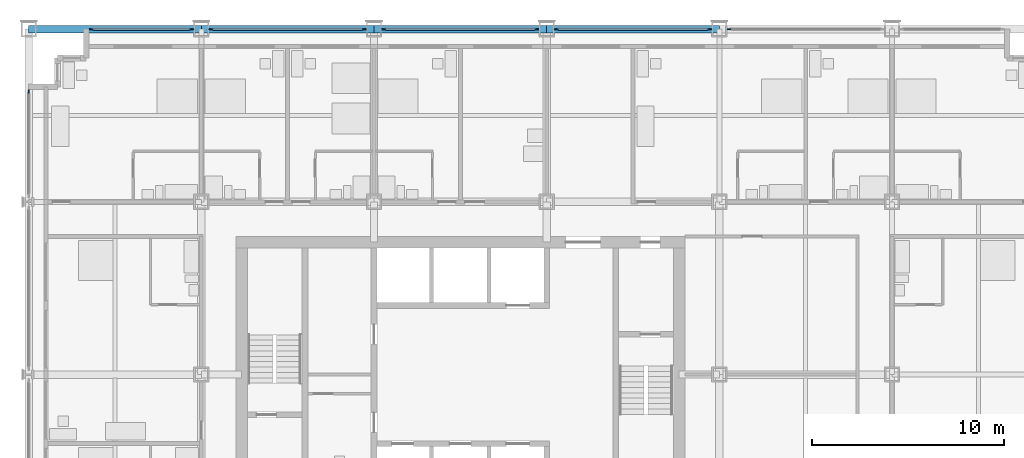
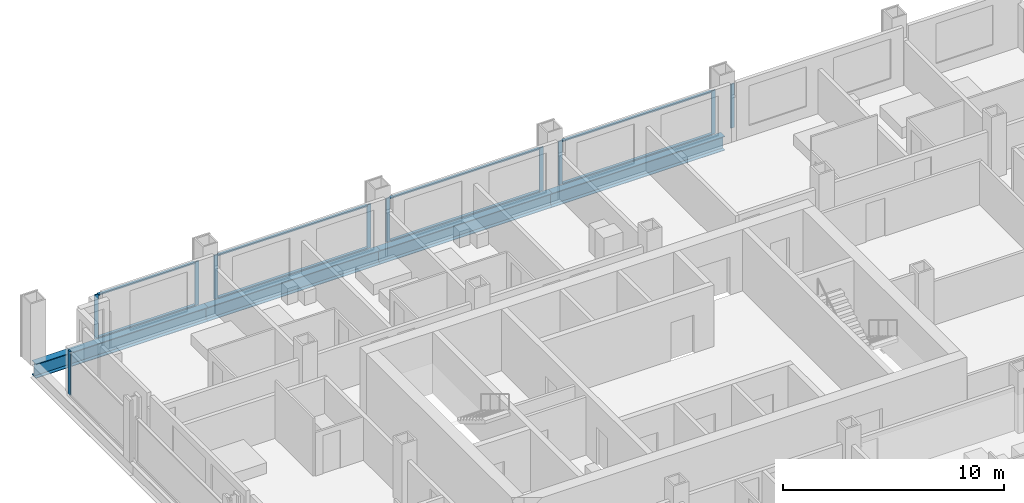
# One storey, part 7 of 18: 18 members, 4 beams, 6 elements without a shape of their own.
"""IFC4 building model written with IfcOpenShell, lengths in metres."""

from ifc_helpers import new_model, si_unit, direction, frame, origin, origin_2d, place, context, subcontext, project, spatial, rectangle, i_section, extrude, material, material_profile, profile_set, type_object, element, aggregate, save


model = new_model("IFC4")

# Units and contexts
model_context = context("Model", 3, precision=1e-05, world=origin(), true_north=direction((0.0, 1.0)))
body_context = subcontext(model_context, "Body", "Model", "MODEL_VIEW")
ifc_project = project(units=[si_unit("LENGTHUNIT", "METRE"), si_unit("AREAUNIT", "SQUARE_METRE"), si_unit("VOLUMEUNIT", "CUBIC_METRE"), si_unit("PLANEANGLEUNIT", "RADIAN"), si_unit("MASSUNIT", "GRAM", prefix="KILO")], contexts=[model_context])

# Site, building, storey
site_placement = place(None, origin())
site = spatial("IfcSite", under=ifc_project, at=site_placement, CompositionType="ELEMENT")
building_placement = place(site_placement, origin())
building = spatial("IfcBuilding", under=site, at=building_placement, Name="Loomwork Tower", CompositionType="ELEMENT")
storey_placement = place(building_placement, frame((0.0, 0.0, 68.800048828125)))
storey = spatial("IfcBuildingStorey", under=building, at=storey_placement, Name="L17", CompositionType="ELEMENT", Elevation=68.800048828125)

# Curtain wall, members
ifc_material_1 = material(Name="Aluminium curtain wall frame", Category="aluminium")
curtain_wall_type = type_object("IfcCurtainWallType", Name="Outer skin glazing hotel", PredefinedType="NOTDEFINED", material=ifc_material_1)
curtain_wall_1_placement = place(storey_placement, origin())
curtain_wall_1 = element("IfcCurtainWall", 1, at=curtain_wall_1_placement, inside=storey, type_object=curtain_wall_type, Name="Outer skin glazing hotel cw/N-0", PredefinedType="NOTDEFINED")
ifc_material_2 = material(Name="Aluminium curtain wall frame", Category="aluminium")
ifc_material_profile_1 = material_profile(ifc_material_2, rectangle(XDim=0.06494140625, YDim=0.199951171875, at=origin_2d()), Name="AL 65x200")
ifc_profile_set_1 = profile_set([ifc_material_profile_1], Name="Aluminium curtain wall frame")
member_type_1 = type_object("IfcMemberType", Name="Outer skin glazing hotel mullion", PredefinedType="MULLION", material=ifc_profile_set_1)
member_1_placement = place(storey_placement, frame((8.5, 36.0, 0.0), z_axis=(0.0, 0.0, 1.0), x_axis=(0.0, -1.0, 0.0)))
member_1 = element("IfcMember", 2, at=member_1_placement, type_object=member_type_1, Name="CW1 mullion 1", PredefinedType="MULLION", context=body_context, shape_type="SweptSolid", body=[
    extrude(rectangle(XDim=0.06494140625, YDim=0.199951171875, at=origin_2d()), origin(), (0.0, 0.0, 1.0), 2.420166015625),
])
member_2_placement = place(storey_placement, frame((3.25, 36.0, 0.0), z_axis=(0.0, 0.0, 1.0), x_axis=(0.0, -1.0, 0.0)))
member_2 = element("IfcMember", 3, at=member_2_placement, type_object=member_type_1, Name="CW1 mullion 2", PredefinedType="MULLION", context=body_context, shape_type="SweptSolid", body=[
    extrude(rectangle(XDim=0.06494140625, YDim=0.199951171875, at=origin_2d()), origin(), (0.0, 0.0, 1.0), 2.420166015625),
])

curtain_wall_2_placement = place(storey_placement, origin())
curtain_wall_2 = element("IfcCurtainWall", 4, at=curtain_wall_2_placement, inside=storey, type_object=curtain_wall_type, Name="Outer skin glazing hotel cw/N-9", PredefinedType="NOTDEFINED")
member_3_placement = place(storey_placement, frame((17.5, 36.0, 0.0), z_axis=(0.0, 0.0, 1.0), x_axis=(0.0, -1.0, 0.0)))
member_3 = element("IfcMember", 5, at=member_3_placement, type_object=member_type_1, Name="CW1 mullion 1", PredefinedType="MULLION", context=body_context, shape_type="SweptSolid", body=[
    extrude(rectangle(XDim=0.06494140625, YDim=0.199951171875, at=origin_2d()), origin(), (0.0, 0.0, 1.0), 2.420166015625),
])
member_4_placement = place(storey_placement, frame((9.5, 36.0, 0.0), z_axis=(0.0, 0.0, 1.0), x_axis=(0.0, -1.0, 0.0)))
member_4 = element("IfcMember", 6, at=member_4_placement, type_object=member_type_1, Name="CW1 mullion 2", PredefinedType="MULLION", context=body_context, shape_type="SweptSolid", body=[
    extrude(rectangle(XDim=0.06494140625, YDim=0.199951171875, at=origin_2d()), origin(), (0.0, 0.0, 1.0), 2.420166015625),
])

curtain_wall_3_placement = place(storey_placement, origin())
curtain_wall_3 = element("IfcCurtainWall", 7, at=curtain_wall_3_placement, inside=storey, type_object=curtain_wall_type, Name="Outer skin glazing hotel cw/N-18", PredefinedType="NOTDEFINED")
member_5_placement = place(storey_placement, frame((26.5, 36.0, 0.0), z_axis=(0.0, 0.0, 1.0), x_axis=(0.0, -1.0, 0.0)))
member_5 = element("IfcMember", 8, at=member_5_placement, type_object=member_type_1, Name="CW1 mullion 1", PredefinedType="MULLION", context=body_context, shape_type="SweptSolid", body=[
    extrude(rectangle(XDim=0.06494140625, YDim=0.199951171875, at=origin_2d()), origin(), (0.0, 0.0, 1.0), 2.420166015625),
])
member_6_placement = place(storey_placement, frame((18.5, 36.0, 0.0), z_axis=(0.0, 0.0, 1.0), x_axis=(0.0, -1.0, 0.0)))
member_6 = element("IfcMember", 9, at=member_6_placement, type_object=member_type_1, Name="CW1 mullion 2", PredefinedType="MULLION", context=body_context, shape_type="SweptSolid", body=[
    extrude(rectangle(XDim=0.06494140625, YDim=0.199951171875, at=origin_2d()), origin(), (0.0, 0.0, 1.0), 2.420166015625),
])

curtain_wall_4_placement = place(storey_placement, origin())
curtain_wall_4 = element("IfcCurtainWall", 10, at=curtain_wall_4_placement, inside=storey, type_object=curtain_wall_type, Name="Outer skin glazing hotel cw/N-27", PredefinedType="NOTDEFINED")
member_7_placement = place(storey_placement, frame((35.5, 36.0, 0.0), z_axis=(0.0, 0.0, 1.0), x_axis=(0.0, -1.0, 0.0)))
member_7 = element("IfcMember", 11, at=member_7_placement, type_object=member_type_1, Name="CW1 mullion 1", PredefinedType="MULLION", context=body_context, shape_type="SweptSolid", body=[
    extrude(rectangle(XDim=0.06494140625, YDim=0.199951171875, at=origin_2d()), origin(), (0.0, 0.0, 1.0), 2.420166015625),
])
member_8_placement = place(storey_placement, frame((27.5, 36.0, 0.0), z_axis=(0.0, 0.0, 1.0), x_axis=(0.0, -1.0, 0.0)))
member_8 = element("IfcMember", 12, at=member_8_placement, type_object=member_type_1, Name="CW1 mullion 2", PredefinedType="MULLION", context=body_context, shape_type="SweptSolid", body=[
    extrude(rectangle(XDim=0.06494140625, YDim=0.199951171875, at=origin_2d()), origin(), (0.0, 0.0, 1.0), 2.420166015625),
])

# Curtain wall, member
curtain_wall_5_placement = place(storey_placement, origin())
curtain_wall_5 = element("IfcCurtainWall", 13, at=curtain_wall_5_placement, inside=storey, type_object=curtain_wall_type, Name="Outer skin glazing hotel cw/N-36", PredefinedType="NOTDEFINED")
member_9_placement = place(storey_placement, frame((36.5, 36.0, 0.0), z_axis=(0.0, 0.0, 1.0), x_axis=(0.0, -1.0, 0.0)))
member_9 = element("IfcMember", 14, at=member_9_placement, type_object=member_type_1, Name="CW1 mullion 2", PredefinedType="MULLION", context=body_context, shape_type="SweptSolid", body=[
    extrude(rectangle(XDim=0.06494140625, YDim=0.199951171875, at=origin_2d()), origin(), (0.0, 0.0, 1.0), 2.420166015625),
])
aggregate(curtain_wall_5, [member_9])

curtain_wall_6_placement = place(storey_placement, origin())
curtain_wall_6 = element("IfcCurtainWall", 15, at=curtain_wall_6_placement, inside=storey, type_object=curtain_wall_type, Name="Outer skin glazing hotel cw/W-27", PredefinedType="NOTDEFINED")
member_10_placement = place(storey_placement, frame((0.0, 32.75, 0.0), z_axis=(0.0, 0.0, 1.0), x_axis=(1.0, 0.0, 0.0)))
member_10 = element("IfcMember", 16, at=member_10_placement, type_object=member_type_1, Name="CW1 mullion 1", PredefinedType="MULLION", context=body_context, shape_type="SweptSolid", body=[
    extrude(rectangle(XDim=0.06494140625, YDim=0.199951171875, at=origin_2d()), origin(), (0.0, 0.0, 1.0), 2.420166015625),
])
aggregate(curtain_wall_6, [member_10])

# Member
ifc_material_3 = material(Name="Aluminium curtain wall frame", Category="aluminium")
ifc_material_profile_2 = material_profile(ifc_material_3, rectangle(XDim=0.14990234375, YDim=0.06494140625, at=origin_2d()), Name="AL 65x150")
ifc_profile_set_2 = profile_set([ifc_material_profile_2], Name="Aluminium curtain wall frame")
member_type_2 = type_object("IfcMemberType", Name="Outer skin glazing hotel transom", PredefinedType="USERDEFINED", material=ifc_profile_set_2)
member_11_placement = place(storey_placement, frame((8.39990234375, 36.0, 0.032470703125), z_axis=(-1.0, 0.0, 0.0), x_axis=(0.0, -1.0, 0.0)))
member_11 = element("IfcMember", 17, at=member_11_placement, type_object=member_type_2, Name="CW1 transom 1.1", ObjectType="TRANSOM", PredefinedType="USERDEFINED", context=body_context, shape_type="SweptSolid", body=[
    extrude(rectangle(XDim=0.14990234375, YDim=0.06494140625, at=origin_2d()), origin(), (0.0, 0.0, 1.0), 5.0498046875),
])

member_12_placement = place(storey_placement, frame((8.39990234375, 36.0, 2.3876953125), z_axis=(-1.0, 0.0, 0.0), x_axis=(0.0, -1.0, 0.0)))
member_12 = element("IfcMember", 18, at=member_12_placement, type_object=member_type_2, Name="CW1 transom 1.2", ObjectType="TRANSOM", PredefinedType="USERDEFINED", context=body_context, shape_type="SweptSolid", body=[
    extrude(rectangle(XDim=0.14990234375, YDim=0.06494140625, at=origin_2d()), origin(), (0.0, 0.0, 1.0), 5.0498046875),
])

aggregate(curtain_wall_1, [member_1, member_2, member_11, member_12])

member_13_placement = place(storey_placement, frame((17.39990234375, 36.0, 0.032470703125), z_axis=(-1.0, 0.0, 0.0), x_axis=(0.0, -1.0, 0.0)))
member_13 = element("IfcMember", 19, at=member_13_placement, type_object=member_type_2, Name="CW1 transom 1.1", ObjectType="TRANSOM", PredefinedType="USERDEFINED", context=body_context, shape_type="SweptSolid", body=[
    extrude(rectangle(XDim=0.14990234375, YDim=0.06494140625, at=origin_2d()), origin(), (0.0, 0.0, 1.0), 7.7998046875),
])

member_14_placement = place(storey_placement, frame((17.39990234375, 36.0, 2.3876953125), z_axis=(-1.0, 0.0, 0.0), x_axis=(0.0, -1.0, 0.0)))
member_14 = element("IfcMember", 20, at=member_14_placement, type_object=member_type_2, Name="CW1 transom 1.2", ObjectType="TRANSOM", PredefinedType="USERDEFINED", context=body_context, shape_type="SweptSolid", body=[
    extrude(rectangle(XDim=0.14990234375, YDim=0.06494140625, at=origin_2d()), origin(), (0.0, 0.0, 1.0), 7.7998046875),
])

aggregate(curtain_wall_2, [member_3, member_4, member_13, member_14])

member_15_placement = place(storey_placement, frame((26.39990234375, 36.0, 0.032470703125), z_axis=(-1.0, 0.0, 0.0), x_axis=(0.0, -1.0, 0.0)))
member_15 = element("IfcMember", 21, at=member_15_placement, type_object=member_type_2, Name="CW1 transom 1.1", ObjectType="TRANSOM", PredefinedType="USERDEFINED", context=body_context, shape_type="SweptSolid", body=[
    extrude(rectangle(XDim=0.14990234375, YDim=0.06494140625, at=origin_2d()), origin(), (0.0, 0.0, 1.0), 7.7998046875),
])

member_16_placement = place(storey_placement, frame((26.39990234375, 36.0, 2.3876953125), z_axis=(-1.0, 0.0, 0.0), x_axis=(0.0, -1.0, 0.0)))
member_16 = element("IfcMember", 22, at=member_16_placement, type_object=member_type_2, Name="CW1 transom 1.2", ObjectType="TRANSOM", PredefinedType="USERDEFINED", context=body_context, shape_type="SweptSolid", body=[
    extrude(rectangle(XDim=0.14990234375, YDim=0.06494140625, at=origin_2d()), origin(), (0.0, 0.0, 1.0), 7.7998046875),
])

aggregate(curtain_wall_3, [member_5, member_6, member_15, member_16])

member_17_placement = place(storey_placement, frame((35.39990234375, 36.0, 0.032470703125), z_axis=(-1.0, 0.0, 0.0), x_axis=(0.0, -1.0, 0.0)))
member_17 = element("IfcMember", 23, at=member_17_placement, type_object=member_type_2, Name="CW1 transom 1.1", ObjectType="TRANSOM", PredefinedType="USERDEFINED", context=body_context, shape_type="SweptSolid", body=[
    extrude(rectangle(XDim=0.14990234375, YDim=0.06494140625, at=origin_2d()), origin(), (0.0, 0.0, 1.0), 7.7998046875),
])

member_18_placement = place(storey_placement, frame((35.39990234375, 36.0, 2.3876953125), z_axis=(-1.0, 0.0, 0.0), x_axis=(0.0, -1.0, 0.0)))
member_18 = element("IfcMember", 24, at=member_18_placement, type_object=member_type_2, Name="CW1 transom 1.2", ObjectType="TRANSOM", PredefinedType="USERDEFINED", context=body_context, shape_type="SweptSolid", body=[
    extrude(rectangle(XDim=0.14990234375, YDim=0.06494140625, at=origin_2d()), origin(), (0.0, 0.0, 1.0), 7.7998046875),
])

aggregate(curtain_wall_4, [member_7, member_8, member_17, member_18])

# Beams
ifc_material_4 = material(Name="Steel ASTM A992", Category="steel")
ifc_material_profile_3 = material_profile(ifc_material_4, i_section(OverallWidth=0.381103515625, OverallDepth=0.77978515625, WebThickness=0.01806640625, FlangeThickness=0.0302734375, at=origin_2d()), Name="W30x191")
ifc_profile_set_3 = profile_set([ifc_material_profile_3], Name="Steel ASTM A992")
beam_type = type_object("IfcBeamType", Name="SPANDREL GIRDER W30x191", PredefinedType="SPANDREL", material=ifc_profile_set_3)
for number, where, z_axis, x_axis, name in (
    (25, (0.0, 36.0, -0.58984375), (1.0, 0.0, 0.0), (0.0, 1.0, 0.0), "Spandrel Girder H/2-H/3 L17"),
    (26, (9.0, 36.0, -0.58984375), (1.0, 0.0, 0.0), (0.0, 1.0, 0.0), "Spandrel Girder H/3-H/4 L17"),
    (27, (18.0, 36.0, -0.58984375), (1.0, 0.0, 0.0), (0.0, 1.0, 0.0), "Spandrel Girder H/4-H/5 L17"),
    (28, (27.0, 36.0, -0.58984375), (1.0, 0.0, 0.0), (0.0, 1.0, 0.0), "Spandrel Girder H/5-H/6 L17"),
):
    element("IfcBeam", number, at=place(storey_placement, frame(where, z_axis=z_axis, x_axis=x_axis)), inside=storey, type_object=beam_type, Name=name, PredefinedType="SPANDREL", context=body_context, shape_type="SweptSolid", body=[
        extrude(i_section(OverallWidth=0.381103515625, OverallDepth=0.77978515625, WebThickness=0.01806640625, FlangeThickness=0.0302734375, at=origin_2d()), origin(), (0.0, 0.0, 1.0), 9.0),
    ])

save(model, "model.ifc")
